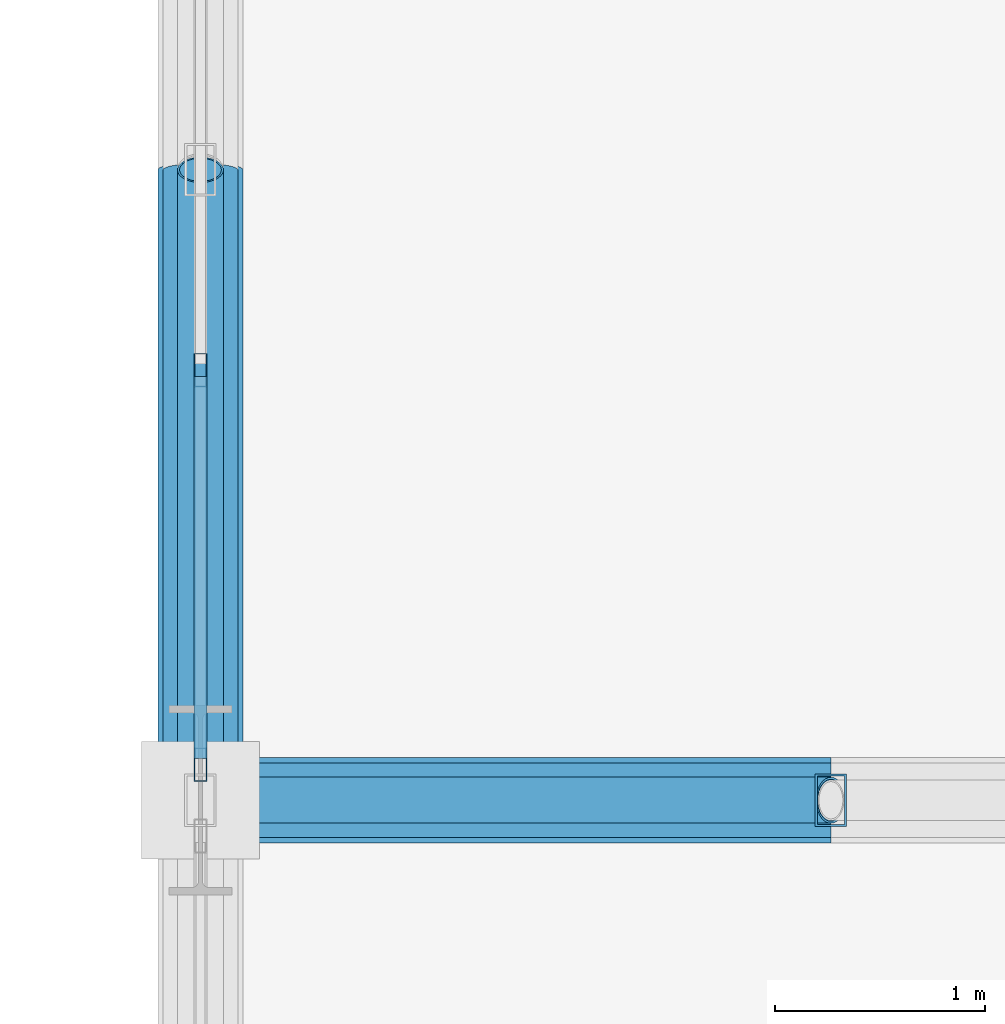
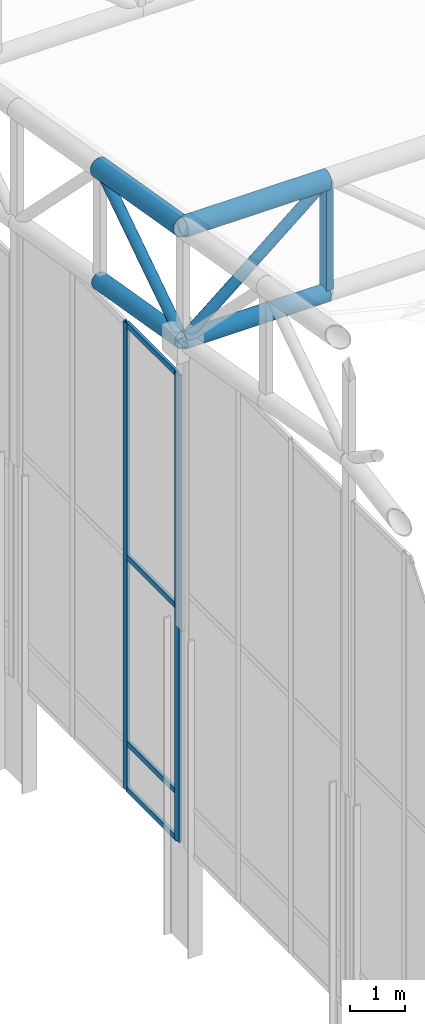
# One storey, part 87 of 239: 13 members, 1 element without a shape of its own.
"""IFC4 building model written with IfcOpenShell, lengths in metres."""

from ifc_helpers import new_model, si_unit, direction, frame, origin, origin_2d, place, context, subcontext, project, spatial, hollow_rectangle, hollow_circle, extrude, material, material_profile, profile_set, type_object, element, aggregate, save


model = new_model("IFC4")

# Units and contexts
model_context = context("Model", 3, precision=1e-05, world=origin(), true_north=direction((0.0, 1.0)))
body_context = subcontext(model_context, "Body", "Model", "MODEL_VIEW")
ifc_project = project(units=[si_unit("LENGTHUNIT", "METRE"), si_unit("AREAUNIT", "SQUARE_METRE"), si_unit("VOLUMEUNIT", "CUBIC_METRE"), si_unit("PLANEANGLEUNIT", "RADIAN"), si_unit("MASSUNIT", "GRAM", prefix="KILO")], contexts=[model_context])

# Site, building, storey
site_placement = place(None, origin())
site = spatial("IfcSite", under=ifc_project, at=site_placement, CompositionType="ELEMENT")
building_placement = place(site_placement, origin())
building = spatial("IfcBuilding", under=site, at=building_placement, Name="Kaldris Quays Convention Centre", CompositionType="ELEMENT")
storey_placement = place(building_placement, frame((0.0, 0.0, 11.39990234375)))
storey = spatial("IfcBuildingStorey", under=building, at=storey_placement, Name="L02", CompositionType="ELEMENT", Elevation=11.39990234375)

# Curtain wall, members
ifc_material_1 = material(Name="Anodized aluminium AW-6060 and triple glazing", Category="aluminium")
curtain_wall_type = type_object("IfcCurtainWallType", Name="UNITISED CURTAIN WALL CW03", PredefinedType="NOTDEFINED", material=ifc_material_1)
curtain_wall_placement = place(storey_placement, origin())
curtain_wall = element("IfcCurtainWall", 1, at=curtain_wall_placement, inside=storey, type_object=curtain_wall_type, Name="L02 Unitised Curtain Wall CW03 221", PredefinedType="NOTDEFINED")
ifc_material_2 = material(Name="Anodized aluminium AW-6060", Category="aluminium")
ifc_material_profile_1 = material_profile(ifc_material_2, hollow_rectangle(XDim=0.06005859375, YDim=0.159912109375, WallThickness=0.00390625, at=origin_2d()), Name="RHS 160x60x4")
ifc_profile_set_1 = profile_set([ifc_material_profile_1], Name="Anodized aluminium AW-6060")
member_type_1 = type_object("IfcMemberType", Name="CURTAIN MULLION CWM1", PredefinedType="MULLION", material=ifc_profile_set_1)
member_1_placement = place(storey_placement, frame((20.0, 104.169921875, 2.195068359375), z_axis=(0.0, 0.0, 1.0), x_axis=(-1.0, 0.0, 0.0)))
member_1 = element("IfcMember", 2, at=member_1_placement, type_object=member_type_1, Name="CW03 mullion 1", PredefinedType="MULLION", context=body_context, shape_type="SweptSolid", body=[
    extrude(hollow_rectangle(XDim=0.06005859375, YDim=0.159912109375, WallThickness=0.00390625, at=origin_2d()), origin(), (0.0, 0.0, 1.0), 10.31201171875),
])
member_2_placement = place(storey_placement, frame((20.0, 106.046630859375, 2.195068359375), z_axis=(0.0, 0.0, 1.0), x_axis=(-1.0, 0.0, 0.0)))
member_2 = element("IfcMember", 3, at=member_2_placement, type_object=member_type_1, Name="CW03 mullion 2", PredefinedType="MULLION", context=body_context, shape_type="SweptSolid", body=[
    extrude(hollow_rectangle(XDim=0.06005859375, YDim=0.159912109375, WallThickness=0.00390625, at=origin_2d()), origin(), (0.0, 0.0, 1.0), 10.31201171875),
])
ifc_material_profile_2 = material_profile(ifc_material_2, hollow_rectangle(XDim=0.06005859375, YDim=0.1201171875, WallThickness=0.00390625, at=origin_2d()), Name="RHS 120x60x4")
ifc_profile_set_2 = profile_set([ifc_material_profile_2], Name="Anodized aluminium AW-6060")
member_type_2 = type_object("IfcMemberType", Name="CURTAIN TRANSOM CWT1", PredefinedType="USERDEFINED", material=ifc_profile_set_2)
member_3_placement = place(storey_placement, frame((20.0, 104.199951171875, 2.22509765625), z_axis=(0.0, 1.0, 0.0), x_axis=(-1.0, 0.0, 0.0)))
member_3 = element("IfcMember", 4, at=member_3_placement, type_object=member_type_2, Name="CW03 transom 1.1", ObjectType="TRANSOM", PredefinedType="USERDEFINED", context=body_context, shape_type="SweptSolid", body=[
    extrude(hollow_rectangle(XDim=0.06005859375, YDim=0.1201171875, WallThickness=0.00390625, at=origin_2d()), origin(), (0.0, 0.0, 1.0), 1.816650390625),
])
member_4_placement = place(storey_placement, frame((20.0, 104.199951171875, 3.2451171875), z_axis=(0.0, 1.0, 0.0), x_axis=(-1.0, 0.0, 0.0)))
member_4 = element("IfcMember", 5, at=member_4_placement, type_object=member_type_2, Name="CW03 transom 1.2", ObjectType="TRANSOM", PredefinedType="USERDEFINED", context=body_context, shape_type="SweptSolid", body=[
    extrude(hollow_rectangle(XDim=0.06005859375, YDim=0.1201171875, WallThickness=0.00390625, at=origin_2d()), origin(), (0.0, 0.0, 1.0), 1.816650390625),
])
member_5_placement = place(storey_placement, frame((20.0, 104.199951171875, 7.35107421875), z_axis=(0.0, 1.0, 0.0), x_axis=(-1.0, 0.0, 0.0)))
member_5 = element("IfcMember", 6, at=member_5_placement, type_object=member_type_2, Name="CW03 transom 1.3", ObjectType="TRANSOM", PredefinedType="USERDEFINED", context=body_context, shape_type="SweptSolid", body=[
    extrude(hollow_rectangle(XDim=0.06005859375, YDim=0.1201171875, WallThickness=0.00390625, at=origin_2d()), origin(), (0.0, 0.0, 1.0), 1.816650390625),
])
member_6_placement = place(storey_placement, frame((20.0, 104.199951171875, 12.47705078125), z_axis=(0.0, 1.0, 0.0), x_axis=(-1.0, 0.0, 0.0)))
member_6 = element("IfcMember", 7, at=member_6_placement, type_object=member_type_2, Name="CW03 transom 1.4", ObjectType="TRANSOM", PredefinedType="USERDEFINED", context=body_context, shape_type="SweptSolid", body=[
    extrude(hollow_rectangle(XDim=0.06005859375, YDim=0.1201171875, WallThickness=0.00390625, at=origin_2d()), origin(), (0.0, 0.0, 1.0), 1.816650390625),
])
aggregate(curtain_wall, [member_1, member_2, member_3, member_4, member_5, member_6])

# Members
ifc_material_3 = material(Name="Steel S355J2H", Category="steel")
ifc_material_profile_3 = material_profile(ifc_material_3, hollow_circle(Radius=0.203125, WallThickness=0.01611328125, at=origin_2d()), Name="CHS 406.4x16")
ifc_profile_set_3 = profile_set([ifc_material_profile_3], Name="Steel S355J2H")
member_type_3 = type_object("IfcMemberType", Name="STRUCTURAL MEMBER SC01", PredefinedType="CHORD", material=ifc_profile_set_3)
member_7_placement = place(storey_placement, frame((20.0, 104.0, 15.84326171875), z_axis=(1.0, 0.0, 0.0), x_axis=(0.0, 1.0, 0.0)))
element("IfcMember", 8, at=member_7_placement, inside=storey, type_object=member_type_3, Name="SF-V1 Top Chord X 169", PredefinedType="CHORD", context=body_context, shape_type="SweptSolid", body=[
    extrude(hollow_circle(Radius=0.203125, WallThickness=0.01611328125, at=origin_2d()), origin(), (0.0, 0.0, 1.0), 3.0),
])
member_8_placement = place(storey_placement, frame((20.0, 104.0, 15.84326171875), z_axis=(0.0, 0.98562912375, -0.168923741424), x_axis=(-1.0, 0.0, 0.0)))
element("IfcMember", 9, at=member_8_placement, inside=storey, type_object=member_type_3, Name="SF-V1 Top Chord Y 353", PredefinedType="CHORD", context=body_context, shape_type="SweptSolid", body=[
    extrude(hollow_circle(Radius=0.203125, WallThickness=0.01611328125, at=origin_2d()), origin(), (0.0, 0.0, 1.0), 3.043701171875),
])
ifc_material_profile_4 = material_profile(ifc_material_3, hollow_circle(Radius=0.177734375, WallThickness=0.01611328125, at=origin_2d()), Name="CHS 355.6x16")
ifc_profile_set_4 = profile_set([ifc_material_profile_4], Name="Steel S355J2H")
member_type_4 = type_object("IfcMemberType", Name="STRUCTURAL MEMBER SC02", PredefinedType="CHORD", material=ifc_profile_set_4)
member_9_placement = place(storey_placement, frame((20.0, 104.0, 13.34326171875), z_axis=(1.0, 0.0, 0.0), x_axis=(0.0, 1.0, 0.0)))
element("IfcMember", 10, at=member_9_placement, inside=storey, type_object=member_type_4, Name="SF-V1 Bottom Chord X 169", PredefinedType="CHORD", context=body_context, shape_type="SweptSolid", body=[
    extrude(hollow_circle(Radius=0.177734375, WallThickness=0.01611328125, at=origin_2d()), origin(), (0.0, 0.0, 1.0), 3.0),
])
member_10_placement = place(storey_placement, frame((20.0, 104.0, 13.34326171875), z_axis=(0.0, 0.98562912375, -0.168923741424), x_axis=(-1.0, 0.0, 0.0)))
element("IfcMember", 11, at=member_10_placement, inside=storey, type_object=member_type_4, Name="SF-V1 Bottom Chord Y 353", PredefinedType="CHORD", context=body_context, shape_type="SweptSolid", body=[
    extrude(hollow_circle(Radius=0.177734375, WallThickness=0.01611328125, at=origin_2d()), origin(), (0.0, 0.0, 1.0), 3.043701171875),
])
ifc_material_profile_5 = material_profile(ifc_material_3, hollow_circle(Radius=0.109619140625, WallThickness=0.010009765625, at=origin_2d()), Name="CHS 219.1x10")
ifc_profile_set_5 = profile_set([ifc_material_profile_5], Name="Steel S355J2H")
member_type_5 = type_object("IfcMemberType", Name="STRUCTURAL MEMBER SWB1", PredefinedType="BRACE", material=ifc_profile_set_5)
member_11_placement = place(storey_placement, frame((20.0, 104.0, 13.34326171875), z_axis=(0.768221279597, 0.0, 0.640184399664), x_axis=(0.0, 1.0, 0.0)))
element("IfcMember", 12, at=member_11_placement, inside=storey, type_object=member_type_5, Name="SF-V1 Web Diagonal X 169", PredefinedType="BRACE", context=body_context, shape_type="SweptSolid", body=[
    extrude(hollow_circle(Radius=0.109619140625, WallThickness=0.010009765625, at=origin_2d()), origin(), (0.0, 0.0, 1.0), 3.905029296875),
])
member_12_placement = place(storey_placement, frame((20.0, 104.0, 13.34326171875), z_axis=(0.0, 0.833862389808, 0.551972385962), x_axis=(-1.0, 0.0, 0.0)))
element("IfcMember", 13, at=member_12_placement, inside=storey, type_object=member_type_5, Name="SF-V1 Web Diagonal Y 353", PredefinedType="BRACE", context=body_context, shape_type="SweptSolid", body=[
    extrude(hollow_circle(Radius=0.109619140625, WallThickness=0.010009765625, at=origin_2d()), origin(), (0.0, 0.0, 1.0), 3.59765625),
])
ifc_material_profile_6 = material_profile(ifc_material_3, hollow_rectangle(XDim=0.14990234375, YDim=0.25, WallThickness=0.010009765625, at=origin_2d()), Name="RHS 250x150x10")
ifc_profile_set_6 = profile_set([ifc_material_profile_6], Name="Steel S355J2H")
member_type_6 = type_object("IfcMemberType", Name="STRUCTURAL MEMBER TTV1", PredefinedType="POST", material=ifc_profile_set_6)
member_13_placement = place(storey_placement, frame((23.0, 104.0, 13.34326171875), z_axis=(0.0, 0.0, 1.0), x_axis=(1.0, 0.0, 0.0)))
element("IfcMember", 14, at=member_13_placement, inside=storey, type_object=member_type_6, Name="SF-V1 Space-Frame Post 34", PredefinedType="POST", context=body_context, shape_type="SweptSolid", body=[
    extrude(hollow_rectangle(XDim=0.14990234375, YDim=0.25, WallThickness=0.010009765625, at=origin_2d()), origin(), (0.0, 0.0, 1.0), 2.5),
])

save(model, "model.ifc")
